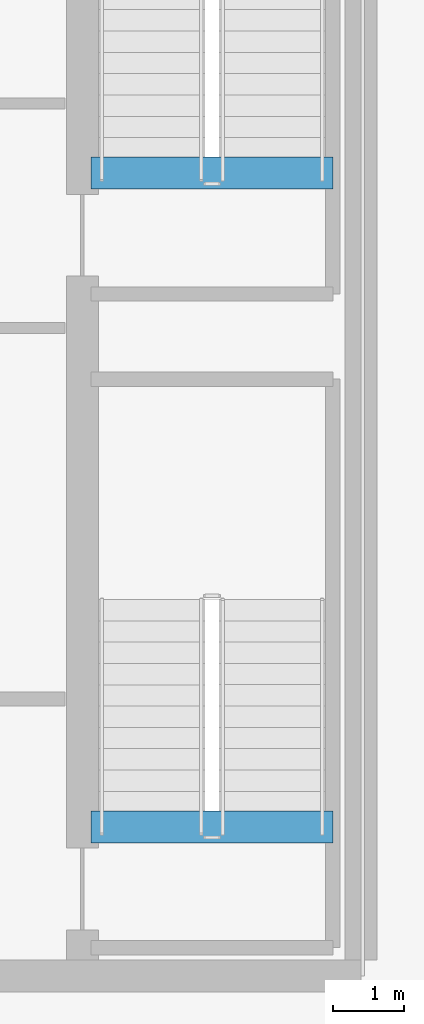
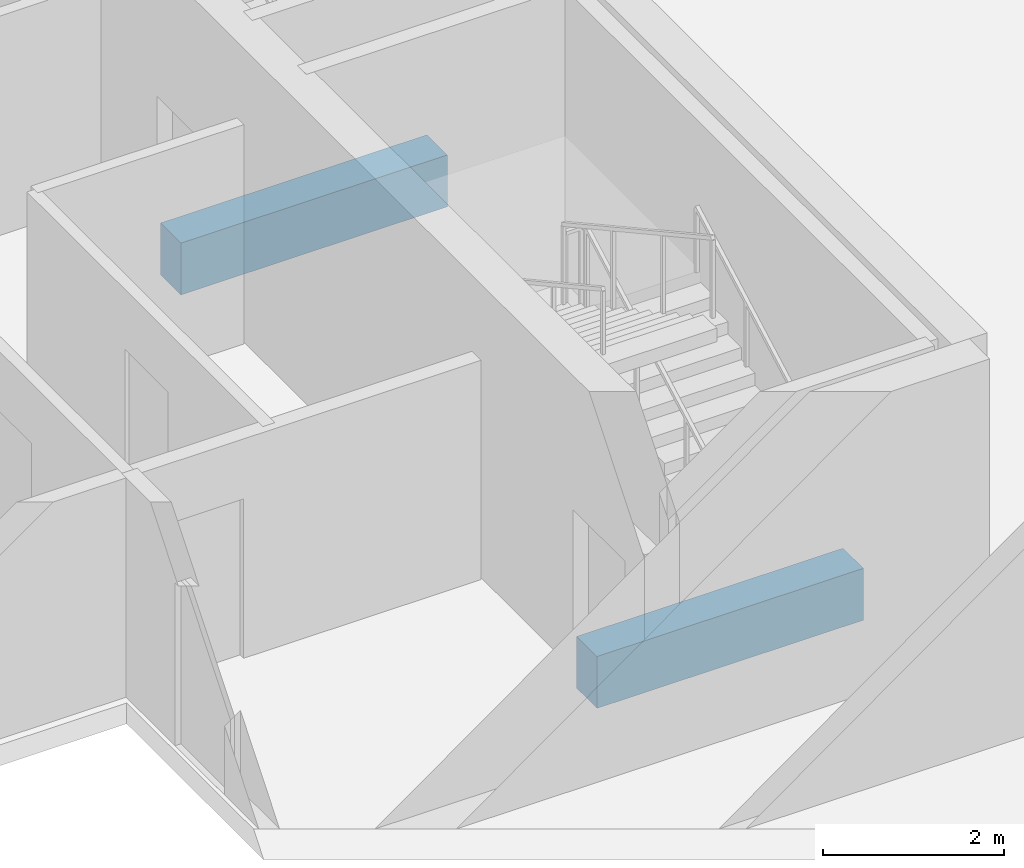
# One storey, part 16 of 26: 2 beams.
"""IFC4 building model written with IfcOpenShell, lengths in metres."""

from ifc_helpers import new_model, si_unit, direction, frame, origin, origin_2d, place, context, subcontext, project, spatial, rectangle, extrude, material, material_profile, profile_set, type_object, element, save


model = new_model("IFC4")

# Units and contexts
model_context = context("Model", 3, precision=1e-05, world=origin(), true_north=direction((0.0, 1.0)))
body_context = subcontext(model_context, "Body", "Model", "MODEL_VIEW")
ifc_project = project(units=[si_unit("LENGTHUNIT", "METRE"), si_unit("AREAUNIT", "SQUARE_METRE"), si_unit("VOLUMEUNIT", "CUBIC_METRE"), si_unit("PLANEANGLEUNIT", "RADIAN"), si_unit("MASSUNIT", "GRAM", prefix="KILO")], contexts=[model_context])

# Site, building, storey
site_placement = place(None, origin())
site = spatial("IfcSite", under=ifc_project, at=site_placement, CompositionType="ELEMENT")
building_placement = place(site_placement, origin())
building = spatial("IfcBuilding", under=site, at=building_placement, Name="Tanjung Sevakor Pilgrim Tower", CompositionType="ELEMENT")
storey_placement = place(building_placement, frame((0.0, 0.0, 177.8701171875)))
storey = spatial("IfcBuildingStorey", under=building, at=storey_placement, Name="L49", CompositionType="ELEMENT", Elevation=177.8701171875)

# Beams
ifc_material = material(Name="Concrete C60/75", Category="concrete")
ifc_material_profile = material_profile(ifc_material, rectangle(XDim=0.449951171875, YDim=0.699951171875, at=origin_2d()))
ifc_profile_set = profile_set([ifc_material_profile], Name="Concrete C60/75")
beam_type = type_object("IfcBeamType", Name="BM-B-LN3-RC-BM_450x700", PredefinedType="LINTEL", material=ifc_profile_set)
for number, where, z_axis, x_axis, name in (
    (1, (86.199951171875, 26.699951171875, -0.35009765625), (1.0, 0.0, 0.0), (0.0, 1.0, 0.0), "L49 TS-E1 Stair Threshold Beam"),
    (2, (86.199951171875, 35.89990234375, -0.35009765625), (1.0, 0.0, 0.0), (0.0, 1.0, 0.0), "L49 TS-E2 Stair Threshold Beam"),
):
    element("IfcBeam", number, at=place(storey_placement, frame(where, z_axis=z_axis, x_axis=x_axis)), inside=storey, type_object=beam_type, Name=name, PredefinedType="LINTEL", context=body_context, shape_type="SweptSolid", body=[
        extrude(rectangle(XDim=0.449951171875, YDim=0.699951171875, at=origin_2d()), origin(), (0.0, 0.0, 1.0), 3.400146484375),
    ])

save(model, "model.ifc")
